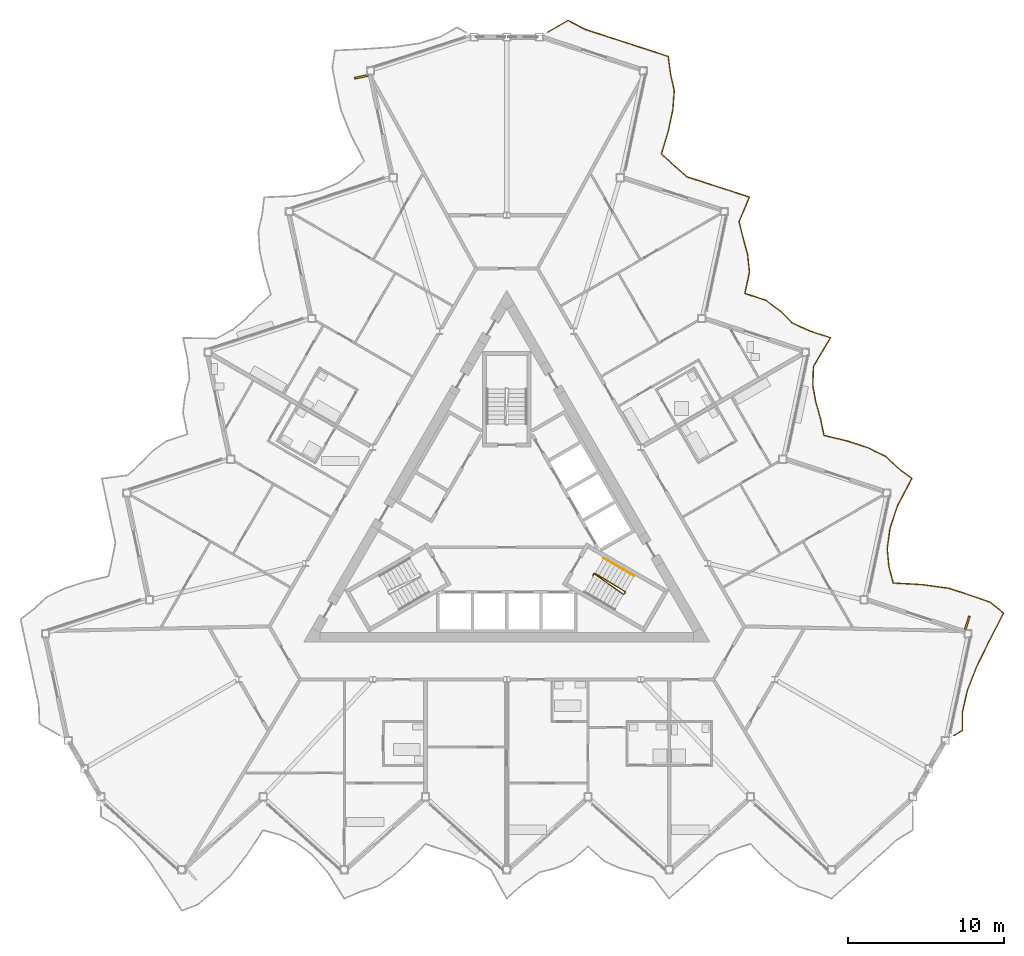
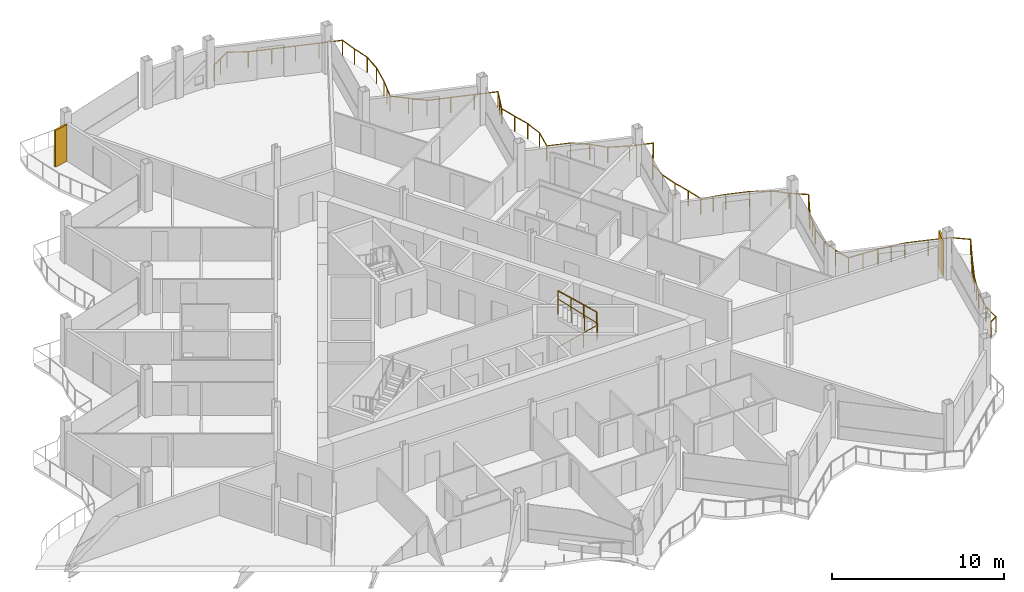
# One storey, part 23 of 25: 3 railings, 2 shading devices.
"""IFC4 building model written with IfcOpenShell, lengths in metres."""

import ifcopenshell
import ifcopenshell.guid

model = None  # the IFC model being written
_history = None  # IfcOwnerHistory: only IFC2X3 demands one
_inside = {}  # id of a spatial element -> (the spatial element, [elements in it])
_under = {}  # id of a project, library or spatial element -> (it, [spatial elements below it])
_declared = {}  # id of a project -> (the project, [libraries it declares])
_typed = {}  # id of a type object -> (the type object, [elements of that type])
_made_of = {}  # id of a material, layer set ... -> (it, [elements and type objects made of it])


def new_model(schema):
    """Start an empty IFC model of exactly this schema.

    Asked for "IFC4X3", IfcOpenShell would pick the latest addendum, in which some entities
    have other attributes; the version numbers below select the first issue.
    IFC2X3 requires an IfcOwnerHistory on every rooted entity: one is made here for all.
    """
    global model, _history
    if schema == "IFC4X3":
        model = ifcopenshell.file(schema_version=(4, 3, 0, 0))
    else:
        model = ifcopenshell.file(schema=schema)
    _inside.clear()
    _under.clear()
    _declared.clear()
    _typed.clear()
    _made_of.clear()
    _history = None
    if model.schema == "IFC2X3":
        org = make("IfcOrganization", Name="unknown")
        user = make(
            "IfcPersonAndOrganization",
            ThePerson=make("IfcPerson", FamilyName="unknown"),
            TheOrganization=org,
        )
        app = make(
            "IfcApplication",
            ApplicationDeveloper=org,
            Version="unknown",
            ApplicationFullName="unknown",
            ApplicationIdentifier="unknown",
        )
        _history = make(
            "IfcOwnerHistory",
            OwningUser=user,
            OwningApplication=app,
            ChangeAction="ADDED",
            CreationDate=0,
        )
    return model


def make(cls, **values):
    """One entity of the class cls with the attributes given. An attribute that is None is left unset."""
    return model.create_entity(
        cls, **{name: value for name, value in values.items() if value is not None}
    )


def rooted(cls, **values):
    """An entity with a GlobalId (a new one), such as an element, a storey or a relation."""
    return make(cls, GlobalId=ifcopenshell.guid.new(), OwnerHistory=_history, **values)


def si_unit(unit_type, name, prefix=None):
    """IfcSIUnit, for example si_unit("LENGTHUNIT", "METRE", prefix="MILLI")."""
    return make("IfcSIUnit", UnitType=unit_type, Prefix=prefix, Name=name)


def assignment(units):
    """IfcUnitAssignment: the units of a project."""
    return None if units is None else make("IfcUnitAssignment", Units=units)


def point(xyz):
    """IfcCartesianPoint."""
    return None if xyz is None else make("IfcCartesianPoint", Coordinates=xyz)


def direction(xyz):
    """IfcDirection."""
    return None if xyz is None else make("IfcDirection", DirectionRatios=xyz)


def frame(location, z_axis=None, x_axis=None):
    """IfcAxis2Placement3D, a coordinate frame: its origin and axes. An axis left out is left unset."""
    return make(
        "IfcAxis2Placement3D",
        Location=point(location),
        Axis=direction(z_axis),
        RefDirection=direction(x_axis),
    )


def frame_2d(location, x_axis=None):
    """IfcAxis2Placement2D, a coordinate frame in the plane: its origin and x axis."""
    return make(
        "IfcAxis2Placement2D", Location=point(location), RefDirection=direction(x_axis)
    )


def origin():
    """The frame at (0, 0, 0) with its axes left unset."""
    return frame((0.0, 0.0, 0.0))


def origin_2d():
    """The frame at (0, 0) in the plane with its x axis left unset."""
    return frame_2d((0.0, 0.0))


def place(relative_to, where):
    """IfcLocalPlacement: puts the frame where relative to a parent placement (None: the world)."""
    return make(
        "IfcLocalPlacement", PlacementRelTo=relative_to, RelativePlacement=where
    )


def context(
    kind, dimensions, precision=None, world=None, true_north=None, identifier=None
):
    """IfcGeometricRepresentationContext, for example the 3D "Model" context."""
    return make(
        "IfcGeometricRepresentationContext",
        ContextIdentifier=identifier,
        ContextType=kind,
        CoordinateSpaceDimension=dimensions,
        Precision=precision,
        WorldCoordinateSystem=world,
        TrueNorth=true_north,
    )


def subcontext(parent, identifier, kind, view, scale=None):
    """IfcGeometricRepresentationSubContext, for example "Body" below "Model"."""
    return make(
        "IfcGeometricRepresentationSubContext",
        ContextIdentifier=identifier,
        ContextType=kind,
        ParentContext=parent,
        TargetScale=scale,
        TargetView=view,
    )


def project(units=None, contexts=None):
    """IfcProject with its units and contexts."""
    return rooted(
        "IfcProject",
        Name="project",
        RepresentationContexts=contexts,
        UnitsInContext=assignment(units),
    )


def spatial(cls, under=None, at=None, **own):
    """A site, building, storey or space (cls), placed at a placement, below another one or the project."""
    s = rooted(cls, ObjectPlacement=at, **own)
    if under is not None:
        _under.setdefault(under.id(), (under, []))[1].append(s)
    return s


def profile(cls, at=None, kind="AREA", **sizes):
    """A parametric profile (cls). Its sizes go by their IFC names, for example OverallWidth=200.0."""
    return make(cls, ProfileType=kind, Position=at, **sizes)


def rectangle(**sizes):
    """IfcRectangleProfileDef."""
    return profile("IfcRectangleProfileDef", **sizes)


def circle(**sizes):
    """IfcCircleProfileDef."""
    return profile("IfcCircleProfileDef", **sizes)


def extrude(swept, where, along, depth):
    """IfcExtrudedAreaSolid: the profile swept, set in the frame where, extruded along a direction by depth."""
    return make(
        "IfcExtrudedAreaSolid",
        SweptArea=swept,
        Position=where,
        ExtrudedDirection=direction(along),
        Depth=depth,
    )


def shape(context_of_items, identifier, shape_type, items):
    """IfcShapeRepresentation: the items that make up one representation, for example the "Body"."""
    return make(
        "IfcShapeRepresentation",
        ContextOfItems=context_of_items,
        RepresentationIdentifier=identifier,
        RepresentationType=shape_type,
        Items=items,
    )


def material(Name=None, Category=None):
    """IfcMaterial."""
    return make("IfcMaterial", Name=Name, Category=Category)


def layer(
    of_material, thickness, ventilated=None, Name=None, Category=None, Priority=None
):
    """IfcMaterialLayer: one layer of a wall or slab, of a material (None: an air gap)."""
    return make(
        "IfcMaterialLayer",
        Material=of_material,
        LayerThickness=thickness,
        IsVentilated=ventilated,
        Name=Name,
        Category=Category,
        Priority=Priority,
    )


def layer_set(layers, Name=None):
    """IfcMaterialLayerSet."""
    return make("IfcMaterialLayerSet", MaterialLayers=layers, LayerSetName=Name)


def made_of(thing, what):
    """Note that an element or type object is made of a material, layer set ...; save() writes the relation."""
    if what is not None:
        _made_of.setdefault(what.id(), (what, []))[1].append(thing)
    return thing


def type_object(cls, material=None, **own):
    """A type object (cls), such as IfcWallType, which elements share."""
    return made_of(rooted(cls, **own), material)


def element(
    cls,
    number,
    at=None,
    inside=None,
    cuts=None,
    type_object=None,
    material=None,
    context=None,
    identifier="Body",
    shape_type=None,
    held_by="IfcProductDefinitionShape",
    body=None,
    shapes=None,
    **own,
):
    """One element of the class cls, such as IfcWall. Its Tag is "e" and its number.

    at: its placement. inside: the storey or other place that contains it. cuts: it is an
    opening in that element (IfcRelVoidsElement). A single representation is given by context,
    identifier, shape_type and body (its items); several are given by shapes. held_by: the class
    of the entity that holds the representations. save() writes the other relations.
    """
    e = rooted(cls, Tag="e%d" % number, ObjectPlacement=at, **own)
    if body is not None:
        shapes = [shape(context, identifier, shape_type, body)]
    if shapes is not None:
        e.Representation = make(held_by, Representations=shapes)
    if inside is not None:
        _inside.setdefault(inside.id(), (inside, []))[1].append(e)
    if cuts is not None:
        rooted(
            "IfcRelVoidsElement", RelatingBuildingElement=cuts, RelatedOpeningElement=e
        )
    if type_object is not None:
        _typed.setdefault(type_object.id(), (type_object, []))[1].append(e)
    return made_of(e, material)


def aggregate(whole, parts):
    """IfcRelAggregates: a whole, such as a stair, and the parts it consists of."""
    return rooted("IfcRelAggregates", RelatingObject=whole, RelatedObjects=parts)


def save(model, path):
    """Write the relations noted so far, then the file.

    IfcRelAggregates (storeys below a building ...), IfcRelContainedInSpatialStructure (elements
    in a storey), IfcRelDefinesByType, IfcRelAssociatesMaterial and IfcRelDeclares: one each for
    every whole, place, type object, material and project.
    """
    for whole, parts in _under.values():
        aggregate(whole, parts)
    for where, things in _inside.values():
        rooted(
            "IfcRelContainedInSpatialStructure",
            RelatedElements=things,
            RelatingStructure=where,
        )
    for kind, things in _typed.values():
        rooted("IfcRelDefinesByType", RelatedObjects=things, RelatingType=kind)
    for what, things in _made_of.values():
        rooted("IfcRelAssociatesMaterial", RelatedObjects=things, RelatingMaterial=what)
    for by, libraries in _declared.values():
        rooted("IfcRelDeclares", RelatingContext=by, RelatedDefinitions=libraries)
    model.write(path)


model = new_model("IFC4")

# Units and contexts
model_context = context("Model", 3, precision=1e-05, world=origin(), true_north=direction((0.0, 1.0)))
body_context = subcontext(model_context, "Body", "Model", "MODEL_VIEW")
ifc_project = project(units=[si_unit("LENGTHUNIT", "METRE"), si_unit("AREAUNIT", "SQUARE_METRE"), si_unit("VOLUMEUNIT", "CUBIC_METRE"), si_unit("PLANEANGLEUNIT", "RADIAN"), si_unit("MASSUNIT", "GRAM", prefix="KILO")], contexts=[model_context])

# Site, building, storey
site_placement = place(None, origin())
site = spatial("IfcSite", under=ifc_project, at=site_placement, CompositionType="ELEMENT")
building_placement = place(site_placement, origin())
building = spatial("IfcBuilding", under=site, at=building_placement, Name="Cormorant Prow Tower", CompositionType="ELEMENT")
storey_placement = place(building_placement, frame((0.0, 0.0, 395.0)))
storey = spatial("IfcBuildingStorey", under=building, at=storey_placement, Name="L90", CompositionType="ELEMENT", Elevation=395.0)

# Railings
ifc_material_1 = material(Name="Aluminium 6063-T6", Category="aluminium")
railing_type_1 = type_object("IfcRailingType", Name="Balcony guard 1100", PredefinedType="GUARDRAIL", material=ifc_material_1)
railing_1_placement = place(storey_placement, frame((28.627197265625, -13.494384765625, 0.0)))
element("IfcRailing", 1, at=railing_1_placement, inside=storey, type_object=railing_type_1, Name="Balcony guard ENE", PredefinedType="GUARDRAIL", context=body_context, shape_type="SweptSolid", body=[
    extrude(circle(Radius=0.02392578125, at=origin_2d()), frame((0.0, 0.0, 1.076171875), z_axis=(0.865942655036, 0.500143297656, 0.0), x_axis=(-0.500143297656, 0.865942655036, 0.0)), (0.0, 0.0, 1.0), 0.635986328125),
    extrude(circle(Radius=0.02392578125, at=origin_2d()), frame((0.55078125, 0.318115234375, 1.076171875), z_axis=(0.003246736134, 0.999994729338, 0.0), x_axis=(-0.999994729338, 0.003246736134, 0.0)), (0.0, 0.0, 1.0), 1.203125),
    extrude(circle(Radius=0.02392578125, at=origin_2d()), frame((0.5546875, 1.521240234375, 1.076171875), z_axis=(0.221524312901, 0.975154848624, 0.0), x_axis=(-0.975154848624, 0.221524312901, 0.0)), (0.0, 0.0, 1.0), 1.417236328125),
    extrude(circle(Radius=0.02392578125, at=origin_2d()), frame((0.86865234375, 2.9033203125, 1.076171875), z_axis=(0.368297817719, 0.929707866732, 0.0), x_axis=(-0.929707866732, 0.368297817719, 0.0)), (0.0, 0.0, 1.0), 1.675048828125),
    extrude(circle(Radius=0.02392578125, at=origin_2d()), frame((1.485595703125, 4.460693359375, 1.076171875), z_axis=(0.441297230078, 0.897360994654, 0.0), x_axis=(-0.897360994654, 0.441297230078, 0.0)), (0.0, 0.0, 1.0), 1.8681640625),
    extrude(circle(Radius=0.02392578125, at=origin_2d()), frame((2.31005859375, 6.13720703125, 1.076171875), z_axis=(0.456107182791, 0.889924849528, 0.0), x_axis=(-0.889924849528, 0.456107182791, 0.0)), (0.0, 0.0, 1.0), 1.916748046875),
    extrude(circle(Radius=0.02392578125, at=origin_2d()), frame((3.184326171875, 7.843017578125, 1.076171875), z_axis=(-0.779264575455, 0.626695078519, 0.0), x_axis=(-0.626695078519, -0.779264575455, 0.0)), (0.0, 0.0, 1.0), 1.115234375),
    extrude(circle(Radius=0.02392578125, at=origin_2d()), frame((2.315185546875, 8.5419921875, 1.076171875), z_axis=(-0.944182179309, 0.32942375791, 0.0), x_axis=(-0.32942375791, -0.944182179309, 0.0)), (0.0, 0.0, 1.0), 1.373291015625),
    extrude(circle(Radius=0.02392578125, at=origin_2d()), frame((1.0185546875, 8.994384765625, 1.076171875), z_axis=(-0.951012270488, 0.309153135811, 0.0), x_axis=(-0.309153135811, -0.951012270488, 0.0)), (0.0, 0.0, 1.0), 1.3994140625),
    extrude(circle(Radius=0.02392578125, at=origin_2d()), frame((-0.312255859375, 9.427001953125, 1.076171875), z_axis=(-0.990287694326, 0.139033386156, 0.0), x_axis=(-0.139033386156, -0.990287694326, 0.0)), (0.0, 0.0, 1.0), 1.689208984375),
    extrude(circle(Radius=0.02392578125, at=origin_2d()), frame((-1.985107421875, 9.661865234375, 1.076171875), z_axis=(-0.998435333848, 0.055918549018, 0.0), x_axis=(-0.055918549018, -0.998435333848, 0.0)), (0.0, 0.0, 1.0), 1.899169921875),
    extrude(circle(Radius=0.02392578125, at=origin_2d()), frame((-3.88134765625, 9.76806640625, 1.076171875), z_axis=(-0.254827773016, 0.966986456006, 0.0), x_axis=(-0.966986456006, -0.254827773016, 0.0)), (0.0, 0.0, 1.0), 1.077880859375),
    extrude(circle(Radius=0.02392578125, at=origin_2d()), frame((-4.156005859375, 10.810302734375, 1.076171875), z_axis=(-0.095232296058, 0.99545507673, 0.0), x_axis=(-0.99545507673, -0.095232296058, 0.0)), (0.0, 0.0, 1.0), 1.143310546875),
    extrude(circle(Radius=0.02392578125, at=origin_2d()), frame((-4.264892578125, 11.948486328125, 1.076171875), z_axis=(0.133088996454, 0.991104090912, 0.0), x_axis=(-0.991104090912, 0.133088996454, 0.0)), (0.0, 0.0, 1.0), 1.3134765625),
    extrude(circle(Radius=0.02392578125, at=origin_2d()), frame((-4.090087890625, 13.250244140625, 1.076171875), z_axis=(0.314823351211, 0.949150281848, 0.0), x_axis=(-0.949150281848, 0.314823351211, 0.0)), (0.0, 0.0, 1.0), 1.56494140625),
    extrude(circle(Radius=0.02392578125, at=origin_2d()), frame((-3.597412109375, 14.735595703125, 1.076171875), z_axis=(0.466040482137, 0.884763397191, 0.0), x_axis=(-0.884763397191, 0.466040482137, 0.0)), (0.0, 0.0, 1.0), 1.950439453125),
    extrude(circle(Radius=0.02392578125, at=origin_2d()), frame((-2.6884765625, 16.461181640625, 1.076171875), z_axis=(-0.800388265593, 0.599481963283, 0.0), x_axis=(-0.599481963283, -0.800388265593, 0.0)), (0.0, 0.0, 1.0), 1.13134765625),
    extrude(circle(Radius=0.02392578125, at=origin_2d()), frame((-3.593994140625, 17.139404296875, 1.076171875), z_axis=(-0.73222577482, 0.68106197566, 0.0), x_axis=(-0.68106197566, -0.73222577482, 0.0)), (0.0, 0.0, 1.0), 1.087890625),
    extrude(circle(Radius=0.02392578125, at=origin_2d()), frame((-4.390625, 17.88037109375, 1.076171875), z_axis=(-0.896834800016, 0.442365619686, 0.0), x_axis=(-0.442365619686, -0.896834800016, 0.0)), (0.0, 0.0, 1.0), 1.25048828125),
    extrude(circle(Radius=0.02392578125, at=origin_2d()), frame((-5.51220703125, 18.43359375, 1.076171875), z_axis=(-0.951080208938, 0.308944066403, 0.0), x_axis=(-0.308944066403, -0.951080208938, 0.0)), (0.0, 0.0, 1.0), 1.3994140625),
    extrude(circle(Radius=0.02392578125, at=origin_2d()), frame((-6.84326171875, 18.865966796875, 1.076171875), z_axis=(-0.972669271208, 0.232194937171, 0.0), x_axis=(-0.232194937171, -0.972669271208, 0.0)), (0.0, 0.0, 1.0), 1.512939453125),
    extrude(circle(Radius=0.02392578125, at=origin_2d()), frame((-8.31494140625, 19.21728515625, 1.076171875), z_axis=(-0.200911259632, 0.979609445521, 0.0), x_axis=(-0.979609445521, -0.200911259632, 0.0)), (0.0, 0.0, 1.0), 1.09619140625),
    extrude(circle(Radius=0.02392578125, at=origin_2d()), frame((-8.53515625, 20.291015625, 1.076171875), z_axis=(-0.276375820387, 0.961049637587, 0.0), x_axis=(-0.961049637587, -0.276375820387, 0.0)), (0.0, 0.0, 1.0), 1.071533203125),
    extrude(circle(Radius=0.02392578125, at=origin_2d()), frame((-8.831298828125, 21.32080078125, 1.076171875), z_axis=(-0.180441968509, 0.983585632266, 0.0), x_axis=(-0.983585632266, -0.180441968509, 0.0)), (0.0, 0.0, 1.0), 1.10400390625),
    extrude(circle(Radius=0.02392578125, at=origin_2d()), frame((-9.030517578125, 22.40673828125, 1.076171875), z_axis=(0.034647445682, 0.999399597012, 0.0), x_axis=(-0.999399597012, 0.034647445682, 0.0)), (0.0, 0.0, 1.0), 1.22607421875),
    extrude(circle(Radius=0.02392578125, at=origin_2d()), frame((-8.988037109375, 23.632080078125, 1.076171875), z_axis=(0.513790848368, 0.857915476101, 0.0), x_axis=(-0.857915476101, 0.513790848368, 0.0)), (0.0, 0.0, 1.0), 2.1396484375),
    extrude(circle(Radius=0.02392578125, at=origin_2d()), frame((-7.888671875, 25.4677734375, 1.076171875), z_axis=(-0.951012270488, 0.309153135811, 0.0), x_axis=(-0.309153135811, -0.951012270488, 0.0)), (0.0, 0.0, 1.0), 1.3994140625),
    extrude(circle(Radius=0.02392578125, at=origin_2d()), frame((-9.219482421875, 25.900390625, 1.076171875), z_axis=(-0.909940549423, 0.414738708727, 0.0), x_axis=(-0.414738708727, -0.909940549423, 0.0)), (0.0, 0.0, 1.0), 1.27734375),
    extrude(circle(Radius=0.02392578125, at=origin_2d()), frame((-10.3818359375, 26.43017578125, 1.076171875), z_axis=(-0.701861566252, 0.712313373325, 0.0), x_axis=(-0.712313373325, -0.701861566252, 0.0)), (0.0, 0.0, 1.0), 1.074462890625),
    extrude(circle(Radius=0.02392578125, at=origin_2d()), frame((-11.135986328125, 27.195556640625, 1.076171875), z_axis=(-0.801343624294, 0.598204309416, 0.0), x_axis=(-0.598204309416, -0.801343624294, 0.0)), (0.0, 0.0, 1.0), 1.132080078125),
    extrude(circle(Radius=0.02392578125, at=origin_2d()), frame((-12.043212890625, 27.872802734375, 1.076171875), z_axis=(-0.951080208938, 0.308944066403, 0.0), x_axis=(-0.308944066403, -0.951080208938, 0.0)), (0.0, 0.0, 1.0), 1.3994140625),
    extrude(circle(Radius=0.02392578125, at=origin_2d()), frame((-13.374267578125, 28.30517578125, 1.076171875), z_axis=(0.207944297815, 0.978140669335, 0.0), x_axis=(-0.978140669335, 0.207944297815, 0.0)), (0.0, 0.0, 1.0), 1.3994140625),
    extrude(circle(Radius=0.02392578125, at=origin_2d()), frame((-13.083251953125, 29.674072265625, 1.076171875), z_axis=(-0.105790569145, 0.994388432897, 0.0), x_axis=(-0.994388432897, -0.105790569145, 0.0)), (0.0, 0.0, 1.0), 1.1376953125),
    extrude(circle(Radius=0.02392578125, at=origin_2d()), frame((-13.20361328125, 30.805419921875, 1.076171875), z_axis=(-0.26459688208, 0.964359108421, 0.0), x_axis=(-0.964359108421, -0.26459688208, 0.0)), (0.0, 0.0, 1.0), 1.074951171875),
    extrude(circle(Radius=0.02392578125, at=origin_2d()), frame((-13.488037109375, 31.842041015625, 1.076171875), z_axis=(-0.241898439004, 0.970301574361, 0.0), x_axis=(-0.970301574361, -0.241898439004, 0.0)), (0.0, 0.0, 1.0), 1.08203125),
    extrude(circle(Radius=0.02392578125, at=origin_2d()), frame((-13.749755859375, 32.891845703125, 1.076171875), z_axis=(0.385484477142, 0.92271432084, 0.0), x_axis=(-0.92271432084, 0.385484477142, 0.0)), (0.0, 0.0, 1.0), 1.715087890625),
    extrude(circle(Radius=0.02392578125, at=origin_2d()), frame((-13.088623046875, 34.474365234375, 1.076171875), z_axis=(-0.951028941009, 0.309101849499, 0.0), x_axis=(-0.309101849499, -0.951028941009, 0.0)), (0.0, 0.0, 1.0), 1.399658203125),
    extrude(circle(Radius=0.02392578125, at=origin_2d()), frame((-14.419677734375, 34.906982421875, 1.076171875), z_axis=(-0.951063554534, 0.308995332064, 0.0), x_axis=(-0.308995332064, -0.951063554534, 0.0)), (0.0, 0.0, 1.0), 1.399169921875),
    extrude(circle(Radius=0.02392578125, at=origin_2d()), frame((-15.75048828125, 35.33935546875, 1.076171875), z_axis=(-0.951028941009, 0.309101849499, 0.0), x_axis=(-0.309101849499, -0.951028941009, 0.0)), (0.0, 0.0, 1.0), 1.399658203125),
    extrude(circle(Radius=0.02392578125, at=origin_2d()), frame((-17.08154296875, 35.77197265625, 1.076171875), z_axis=(-0.75285193499, 0.658189914829, 0.0), x_axis=(-0.658189914829, -0.75285193499, 0.0)), (0.0, 0.0, 1.0), 1.0986328125),
    extrude(circle(Radius=0.02392578125, at=origin_2d()), frame((-17.90869140625, 36.4951171875, 1.076171875), z_axis=(-0.745264642257, 0.666768785263, 0.0), x_axis=(-0.666768785263, -0.745264642257, 0.0)), (0.0, 0.0, 1.0), 1.0947265625),
    extrude(circle(Radius=0.02392578125, at=origin_2d()), frame((-18.724609375, 37.22509765625, 1.076171875), z_axis=(0.290203403988, 0.956964985939, 0.0), x_axis=(-0.956964985939, 0.290203403988, 0.0)), (0.0, 0.0, 1.0), 1.52099609375),
    extrude(circle(Radius=0.02392578125, at=origin_2d()), frame((-18.283203125, 38.6806640625, 1.076171875), z_axis=(0.207944297815, 0.978140669335, 0.0), x_axis=(-0.978140669335, 0.207944297815, 0.0)), (0.0, 0.0, 1.0), 1.3994140625),
    extrude(circle(Radius=0.02392578125, at=origin_2d()), frame((-17.9921875, 40.049560546875, 1.076171875), z_axis=(0.073192296724, 0.997317846877, 0.0), x_axis=(-0.997317846877, 0.073192296724, 0.0)), (0.0, 0.0, 1.0), 1.257568359375),
    extrude(circle(Radius=0.02392578125, at=origin_2d()), frame((-17.900146484375, 41.3037109375, 1.076171875), z_axis=(-0.220632483455, 0.975357015274, 0.0), x_axis=(-0.975357015274, -0.220632483455, 0.0)), (0.0, 0.0, 1.0), 1.0888671875),
    extrude(circle(Radius=0.02392578125, at=origin_2d()), frame((-18.140380859375, 42.36572265625, 1.076171875), z_axis=(-0.131694730589, 0.991290319702, 0.0), x_axis=(-0.991290319702, -0.131694730589, 0.0)), (0.0, 0.0, 1.0), 1.125244140625),
    extrude(circle(Radius=0.02392578125, at=origin_2d()), frame((-18.28857421875, 43.481201171875, 1.076171875), z_axis=(-0.951080208938, 0.308944066403, 0.0), x_axis=(-0.308944066403, -0.951080208938, 0.0)), (0.0, 0.0, 1.0), 1.3994140625),
    extrude(circle(Radius=0.02392578125, at=origin_2d()), frame((-19.61962890625, 43.91357421875, 1.076171875), z_axis=(-0.951012270488, 0.309153135811, 0.0), x_axis=(-0.309153135811, -0.951012270488, 0.0)), (0.0, 0.0, 1.0), 1.3994140625),
    extrude(circle(Radius=0.02392578125, at=origin_2d()), frame((-20.950439453125, 44.34619140625, 1.076171875), z_axis=(-0.951080208938, 0.308944066403, 0.0), x_axis=(-0.308944066403, -0.951080208938, 0.0)), (0.0, 0.0, 1.0), 1.3994140625),
    extrude(circle(Radius=0.02392578125, at=origin_2d()), frame((-22.281494140625, 44.778564453125, 1.076171875), z_axis=(-0.951063554534, 0.308995332064, 0.0), x_axis=(-0.308995332064, -0.951063554534, 0.0)), (0.0, 0.0, 1.0), 1.399169921875),
    extrude(circle(Radius=0.02392578125, at=origin_2d()), frame((-23.6123046875, 45.2109375, 1.076171875), z_axis=(-0.88287590135, 0.469606370075, 0.0), x_axis=(-0.469606370075, -0.88287590135, 0.0)), (0.0, 0.0, 1.0), 1.226318359375),
    extrude(circle(Radius=0.02392578125, at=origin_2d()), frame((-24.695068359375, 45.786865234375, 1.076171875), z_axis=(-0.866020997002, -0.500007632694, 0.0), x_axis=(0.500007632694, -0.866020997002, 0.0)), (0.0, 0.0, 1.0), 1.5068359375),
    extrude(circle(Radius=0.02099609375, at=origin_2d()), origin(), (0.0, 0.0, 1.0), 1.052001953125),
    extrude(circle(Radius=0.02099609375, at=origin_2d()), frame((0.55078125, 0.318115234375, 0.0)), (0.0, 0.0, 1.0), 1.052001953125),
    extrude(circle(Radius=0.02099609375, at=origin_2d()), frame((0.5546875, 1.521240234375, 0.0)), (0.0, 0.0, 1.0), 1.052001953125),
    extrude(circle(Radius=0.02099609375, at=origin_2d()), frame((0.86865234375, 2.9033203125, 0.0)), (0.0, 0.0, 1.0), 1.052001953125),
    extrude(circle(Radius=0.02099609375, at=origin_2d()), frame((1.17724609375, 3.68212890625, 0.0)), (0.0, 0.0, 1.0), 1.052001953125),
    extrude(circle(Radius=0.02099609375, at=origin_2d()), frame((1.485595703125, 4.460693359375, 0.0)), (0.0, 0.0, 1.0), 1.052001953125),
    extrude(circle(Radius=0.02099609375, at=origin_2d()), frame((1.89794921875, 5.298828125, 0.0)), (0.0, 0.0, 1.0), 1.052001953125),
    extrude(circle(Radius=0.02099609375, at=origin_2d()), frame((2.31005859375, 6.13720703125, 0.0)), (0.0, 0.0, 1.0), 1.052001953125),
    extrude(circle(Radius=0.02099609375, at=origin_2d()), frame((2.7470703125, 6.990234375, 0.0)), (0.0, 0.0, 1.0), 1.052001953125),
    extrude(circle(Radius=0.02099609375, at=origin_2d()), frame((3.184326171875, 7.843017578125, 0.0)), (0.0, 0.0, 1.0), 1.052001953125),
    extrude(circle(Radius=0.02099609375, at=origin_2d()), frame((2.315185546875, 8.5419921875, 0.0)), (0.0, 0.0, 1.0), 1.052001953125),
    extrude(circle(Radius=0.02099609375, at=origin_2d()), frame((1.0185546875, 8.994384765625, 0.0)), (0.0, 0.0, 1.0), 1.052001953125),
    extrude(circle(Radius=0.02099609375, at=origin_2d()), frame((-0.312255859375, 9.427001953125, 0.0)), (0.0, 0.0, 1.0), 1.052001953125),
    extrude(circle(Radius=0.02099609375, at=origin_2d()), frame((-1.148681640625, 9.54443359375, 0.0)), (0.0, 0.0, 1.0), 1.052001953125),
    extrude(circle(Radius=0.02099609375, at=origin_2d()), frame((-1.985107421875, 9.661865234375, 0.0)), (0.0, 0.0, 1.0), 1.052001953125),
    extrude(circle(Radius=0.02099609375, at=origin_2d()), frame((-2.93310546875, 9.71484375, 0.0)), (0.0, 0.0, 1.0), 1.052001953125),
    extrude(circle(Radius=0.02099609375, at=origin_2d()), frame((-3.88134765625, 9.76806640625, 0.0)), (0.0, 0.0, 1.0), 1.052001953125),
    extrude(circle(Radius=0.02099609375, at=origin_2d()), frame((-4.156005859375, 10.810302734375, 0.0)), (0.0, 0.0, 1.0), 1.052001953125),
    extrude(circle(Radius=0.02099609375, at=origin_2d()), frame((-4.264892578125, 11.948486328125, 0.0)), (0.0, 0.0, 1.0), 1.052001953125),
    extrude(circle(Radius=0.02099609375, at=origin_2d()), frame((-4.090087890625, 13.250244140625, 0.0)), (0.0, 0.0, 1.0), 1.052001953125),
    extrude(circle(Radius=0.02099609375, at=origin_2d()), frame((-3.84375, 13.992919921875, 0.0)), (0.0, 0.0, 1.0), 1.052001953125),
    extrude(circle(Radius=0.02099609375, at=origin_2d()), frame((-3.597412109375, 14.735595703125, 0.0)), (0.0, 0.0, 1.0), 1.052001953125),
    extrude(circle(Radius=0.02099609375, at=origin_2d()), frame((-3.14306640625, 15.598388671875, 0.0)), (0.0, 0.0, 1.0), 1.052001953125),
    extrude(circle(Radius=0.02099609375, at=origin_2d()), frame((-2.6884765625, 16.461181640625, 0.0)), (0.0, 0.0, 1.0), 1.052001953125),
    extrude(circle(Radius=0.02099609375, at=origin_2d()), frame((-3.593994140625, 17.139404296875, 0.0)), (0.0, 0.0, 1.0), 1.052001953125),
    extrude(circle(Radius=0.02099609375, at=origin_2d()), frame((-4.390625, 17.88037109375, 0.0)), (0.0, 0.0, 1.0), 1.052001953125),
    extrude(circle(Radius=0.02099609375, at=origin_2d()), frame((-5.51220703125, 18.43359375, 0.0)), (0.0, 0.0, 1.0), 1.052001953125),
    extrude(circle(Radius=0.02099609375, at=origin_2d()), frame((-6.84326171875, 18.865966796875, 0.0)), (0.0, 0.0, 1.0), 1.052001953125),
    extrude(circle(Radius=0.02099609375, at=origin_2d()), frame((-7.5791015625, 19.04150390625, 0.0)), (0.0, 0.0, 1.0), 1.052001953125),
    extrude(circle(Radius=0.02099609375, at=origin_2d()), frame((-8.31494140625, 19.21728515625, 0.0)), (0.0, 0.0, 1.0), 1.052001953125),
    extrude(circle(Radius=0.02099609375, at=origin_2d()), frame((-8.53515625, 20.291015625, 0.0)), (0.0, 0.0, 1.0), 1.052001953125),
    extrude(circle(Radius=0.02099609375, at=origin_2d()), frame((-8.831298828125, 21.32080078125, 0.0)), (0.0, 0.0, 1.0), 1.052001953125),
    extrude(circle(Radius=0.02099609375, at=origin_2d()), frame((-9.030517578125, 22.40673828125, 0.0)), (0.0, 0.0, 1.0), 1.052001953125),
    extrude(circle(Radius=0.02099609375, at=origin_2d()), frame((-8.988037109375, 23.632080078125, 0.0)), (0.0, 0.0, 1.0), 1.052001953125),
    extrude(circle(Radius=0.02099609375, at=origin_2d()), frame((-8.4384765625, 24.5498046875, 0.0)), (0.0, 0.0, 1.0), 1.052001953125),
    extrude(circle(Radius=0.02099609375, at=origin_2d()), frame((-7.888671875, 25.4677734375, 0.0)), (0.0, 0.0, 1.0), 1.052001953125),
    extrude(circle(Radius=0.02099609375, at=origin_2d()), frame((-9.219482421875, 25.900390625, 0.0)), (0.0, 0.0, 1.0), 1.052001953125),
    extrude(circle(Radius=0.02099609375, at=origin_2d()), frame((-10.3818359375, 26.43017578125, 0.0)), (0.0, 0.0, 1.0), 1.052001953125),
    extrude(circle(Radius=0.02099609375, at=origin_2d()), frame((-11.135986328125, 27.195556640625, 0.0)), (0.0, 0.0, 1.0), 1.052001953125),
    extrude(circle(Radius=0.02099609375, at=origin_2d()), frame((-12.043212890625, 27.872802734375, 0.0)), (0.0, 0.0, 1.0), 1.052001953125),
    extrude(circle(Radius=0.02099609375, at=origin_2d()), frame((-13.374267578125, 28.30517578125, 0.0)), (0.0, 0.0, 1.0), 1.052001953125),
    extrude(circle(Radius=0.02099609375, at=origin_2d()), frame((-13.083251953125, 29.674072265625, 0.0)), (0.0, 0.0, 1.0), 1.052001953125),
    extrude(circle(Radius=0.02099609375, at=origin_2d()), frame((-13.20361328125, 30.805419921875, 0.0)), (0.0, 0.0, 1.0), 1.052001953125),
    extrude(circle(Radius=0.02099609375, at=origin_2d()), frame((-13.488037109375, 31.842041015625, 0.0)), (0.0, 0.0, 1.0), 1.052001953125),
    extrude(circle(Radius=0.02099609375, at=origin_2d()), frame((-13.749755859375, 32.891845703125, 0.0)), (0.0, 0.0, 1.0), 1.052001953125),
    extrude(circle(Radius=0.02099609375, at=origin_2d()), frame((-13.419189453125, 33.68310546875, 0.0)), (0.0, 0.0, 1.0), 1.052001953125),
    extrude(circle(Radius=0.02099609375, at=origin_2d()), frame((-13.088623046875, 34.474365234375, 0.0)), (0.0, 0.0, 1.0), 1.052001953125),
    extrude(circle(Radius=0.02099609375, at=origin_2d()), frame((-14.419677734375, 34.906982421875, 0.0)), (0.0, 0.0, 1.0), 1.052001953125),
    extrude(circle(Radius=0.02099609375, at=origin_2d()), frame((-15.75048828125, 35.33935546875, 0.0)), (0.0, 0.0, 1.0), 1.052001953125),
    extrude(circle(Radius=0.02099609375, at=origin_2d()), frame((-17.08154296875, 35.77197265625, 0.0)), (0.0, 0.0, 1.0), 1.052001953125),
    extrude(circle(Radius=0.02099609375, at=origin_2d()), frame((-17.90869140625, 36.4951171875, 0.0)), (0.0, 0.0, 1.0), 1.052001953125),
    extrude(circle(Radius=0.02099609375, at=origin_2d()), frame((-18.724609375, 37.22509765625, 0.0)), (0.0, 0.0, 1.0), 1.052001953125),
    extrude(circle(Radius=0.02099609375, at=origin_2d()), frame((-18.50390625, 37.952880859375, 0.0)), (0.0, 0.0, 1.0), 1.052001953125),
    extrude(circle(Radius=0.02099609375, at=origin_2d()), frame((-18.283203125, 38.6806640625, 0.0)), (0.0, 0.0, 1.0), 1.052001953125),
    extrude(circle(Radius=0.02099609375, at=origin_2d()), frame((-17.9921875, 40.049560546875, 0.0)), (0.0, 0.0, 1.0), 1.052001953125),
    extrude(circle(Radius=0.02099609375, at=origin_2d()), frame((-17.900146484375, 41.3037109375, 0.0)), (0.0, 0.0, 1.0), 1.052001953125),
    extrude(circle(Radius=0.02099609375, at=origin_2d()), frame((-18.140380859375, 42.36572265625, 0.0)), (0.0, 0.0, 1.0), 1.052001953125),
    extrude(circle(Radius=0.02099609375, at=origin_2d()), frame((-18.28857421875, 43.481201171875, 0.0)), (0.0, 0.0, 1.0), 1.052001953125),
    extrude(circle(Radius=0.02099609375, at=origin_2d()), frame((-19.61962890625, 43.91357421875, 0.0)), (0.0, 0.0, 1.0), 1.052001953125),
    extrude(circle(Radius=0.02099609375, at=origin_2d()), frame((-20.950439453125, 44.34619140625, 0.0)), (0.0, 0.0, 1.0), 1.052001953125),
    extrude(circle(Radius=0.02099609375, at=origin_2d()), frame((-22.281494140625, 44.778564453125, 0.0)), (0.0, 0.0, 1.0), 1.052001953125),
    extrude(circle(Radius=0.02099609375, at=origin_2d()), frame((-23.6123046875, 45.2109375, 0.0)), (0.0, 0.0, 1.0), 1.052001953125),
    extrude(circle(Radius=0.02099609375, at=origin_2d()), frame((-24.695068359375, 45.786865234375, 0.0)), (0.0, 0.0, 1.0), 1.052001953125),
    extrude(circle(Radius=0.02099609375, at=origin_2d()), frame((-25.34765625, 45.41015625, 0.0)), (0.0, 0.0, 1.0), 1.052001953125),
    extrude(circle(Radius=0.02099609375, at=origin_2d()), frame((-26.0, 45.033447265625, 0.0)), (0.0, 0.0, 1.0), 1.052001953125),
])
ifc_material_2 = material(Name="Stainless steel", Category="steel")
railing_type_2 = type_object("IfcRailingType", Name="Stair guard 1100", PredefinedType="GUARDRAIL", material=ifc_material_2)
railing_2_placement = place(storey_placement, frame((5.510009765625, -3.267822265625, 0.0)))
element("IfcRailing", 2, at=railing_2_placement, inside=storey, type_object=railing_type_2, Name="L90 ST2 stair guard 1", PredefinedType="GUARDRAIL", context=body_context, shape_type="SweptSolid", body=[
    extrude(circle(Radius=0.02392578125, at=origin_2d()), frame((0.0, 0.0, 1.076171875), z_axis=(0.501036270542, 0.865426285481, 0.0), x_axis=(-0.865426285481, 0.501036270542, 0.0)), (0.0, 0.0, 1.0), 0.150146484375),
    extrude(circle(Radius=0.02392578125, at=origin_2d()), frame((0.0751953125, 0.1298828125, 1.076171875), z_axis=(0.658670593711, -0.461060875852, 0.594622500196), x_axis=(0.573455215813, 0.819236910458, 0.0)), (0.0, 0.0, 1.0), 2.85888671875),
    extrude(circle(Radius=0.02392578125, at=origin_2d()), frame((1.958251953125, -1.188232421875, 2.77587890625), z_axis=(0.695164929852, 0.718850276695, 0.0), x_axis=(-0.718850276695, 0.695164929852, 0.0)), (0.0, 0.0, 1.0), 0.2060546875),
    extrude(circle(Radius=0.02392578125, at=origin_2d()), frame((2.1015625, -1.0400390625, 2.77587890625), z_axis=(-0.686515364547, 0.416565300991, 0.595961411712), x_axis=(-0.518752825935, -0.854924268918, 0.0)), (0.0, 0.0, 1.0), 2.8525390625),
    extrude(circle(Radius=0.02099609375, at=origin_2d()), origin(), (0.0, 0.0, 1.0), 1.052001953125),
    extrude(circle(Radius=0.02099609375, at=origin_2d()), frame((0.0751953125, 0.1298828125, 0.0)), (0.0, 0.0, 1.0), 1.052001953125),
    extrude(circle(Radius=0.02099609375, at=origin_2d()), frame((0.702880859375, -0.3095703125, 0.566650390625)), (0.0, 0.0, 1.0), 1.052001953125),
    extrude(circle(Radius=0.02099609375, at=origin_2d()), frame((1.33056640625, -0.748779296875, 1.13330078125)), (0.0, 0.0, 1.0), 1.052001953125),
    extrude(circle(Radius=0.02099609375, at=origin_2d()), frame((1.958251953125, -1.188232421875, 1.699951171875)), (0.0, 0.0, 1.0), 1.052001953125),
    extrude(circle(Radius=0.02099609375, at=origin_2d()), frame((2.1015625, -1.0400390625, 1.699951171875)), (0.0, 0.0, 1.0), 1.052001953125),
    extrude(circle(Radius=0.02099609375, at=origin_2d()), frame((1.44873046875, -0.64404296875, 2.2666015625)), (0.0, 0.0, 1.0), 1.052001953125),
    extrude(circle(Radius=0.02099609375, at=origin_2d()), frame((0.796142578125, -0.247802734375, 2.833251953125)), (0.0, 0.0, 1.0), 1.052001953125),
    extrude(circle(Radius=0.02099609375, at=origin_2d()), frame((0.143310546875, 0.148193359375, 3.39990234375)), (0.0, 0.0, 1.0), 1.052001953125),
])
ifc_material_3 = material(Name="Stainless steel", Category="steel")
railing_type_3 = type_object("IfcRailingType", Name="Stair handrail 900", PredefinedType="HANDRAIL", material=ifc_material_3)
railing_3_placement = place(storey_placement, frame((8.15283203125, -3.2705078125, 1.888916015625)))
element("IfcRailing", 3, at=railing_3_placement, inside=storey, type_object=railing_type_3, Name="L90 ST2 stair handrail 2", PredefinedType="HANDRAIL", context=body_context, shape_type="SweptSolid", body=[
    extrude(circle(Radius=0.02392578125, at=origin_2d()), frame((0.0, 0.0, 0.8759765625), z_axis=(-0.717976596433, 0.414467486514, 0.559219375198), x_axis=(-0.49994888933, -0.866054910533, 0.0)), (0.0, 0.0, 1.0), 2.701904296875),
    extrude(circle(Radius=0.02099609375, at=origin_2d()), origin(), (0.0, 0.0, 1.0), 0.851806640625),
    extrude(circle(Radius=0.02099609375, at=origin_2d()), frame((-0.646728515625, 0.373291015625, 0.503662109375)), (0.0, 0.0, 1.0), 0.851806640625),
    extrude(circle(Radius=0.02099609375, at=origin_2d()), frame((-1.293212890625, 0.74658203125, 1.00732421875)), (0.0, 0.0, 1.0), 0.851806640625),
    extrude(circle(Radius=0.02099609375, at=origin_2d()), frame((-1.93994140625, 1.119873046875, 1.510986328125)), (0.0, 0.0, 1.0), 0.851806640625),
])

# Shading devices
ifc_material_4 = material(Name="Terracotta", Category="masonry")
ifc_layer = layer(ifc_material_4, 0.1201171875)
ifc_layer_set = layer_set([ifc_layer], Name="Terracotta")
shading_device_type = type_object("IfcShadingDeviceType", Name="Terracotta baguette fin 120x900x2600", PredefinedType="USERDEFINED", material=ifc_layer_set)
for number, where, z_axis, x_axis, name in (
    (4, (29.48681640625, -6.2802734375, 0.0), (0.0, 0.0, 1.0), (-0.951056492904, 0.309017066365, 0.0), "Baguette fin ENE01"),
    (5, (-9.3046875, 28.676513671875, 0.0), (0.0, 0.0, 1.0), (0.207911620089, -0.978147615768, 0.0), "Baguette fin WNW01"),
):
    element("IfcShadingDevice", number, at=place(storey_placement, frame(where, z_axis=z_axis, x_axis=x_axis)), inside=storey, type_object=shading_device_type, Name=name, ObjectType="BAGUETTE", PredefinedType="USERDEFINED", context=body_context, shape_type="SweptSolid", body=[
        extrude(rectangle(XDim=0.1201171875, YDim=0.89990234375, at=origin_2d()), origin(), (0.0, 0.0, 1.0), 2.60009765625),
    ])

save(model, "model.ifc")
